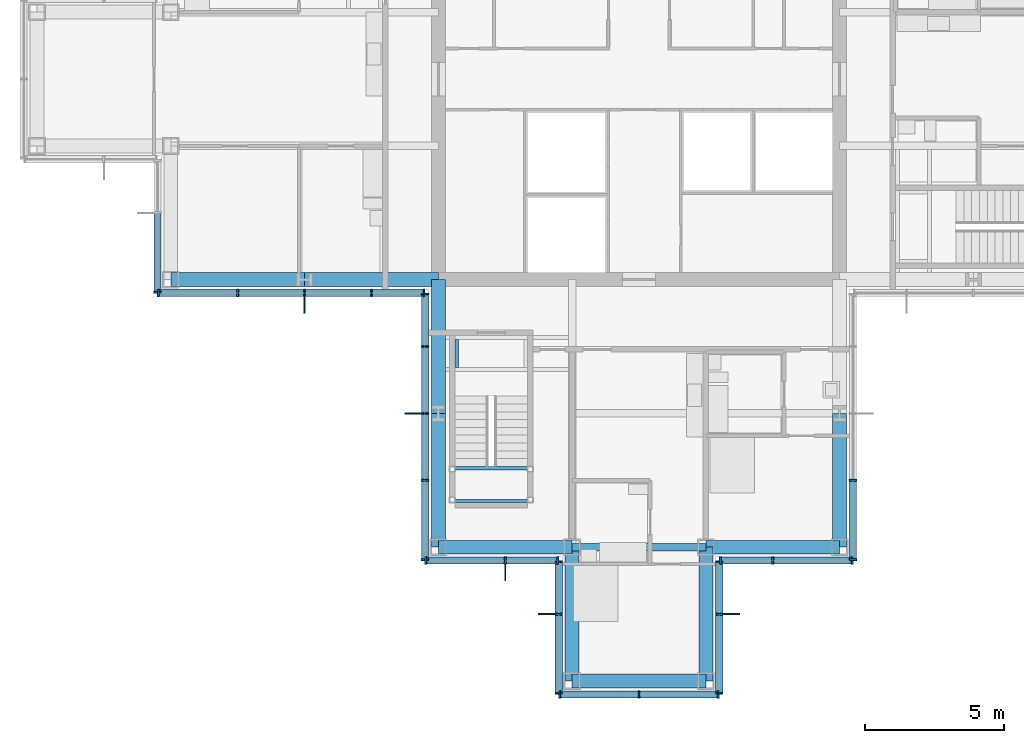
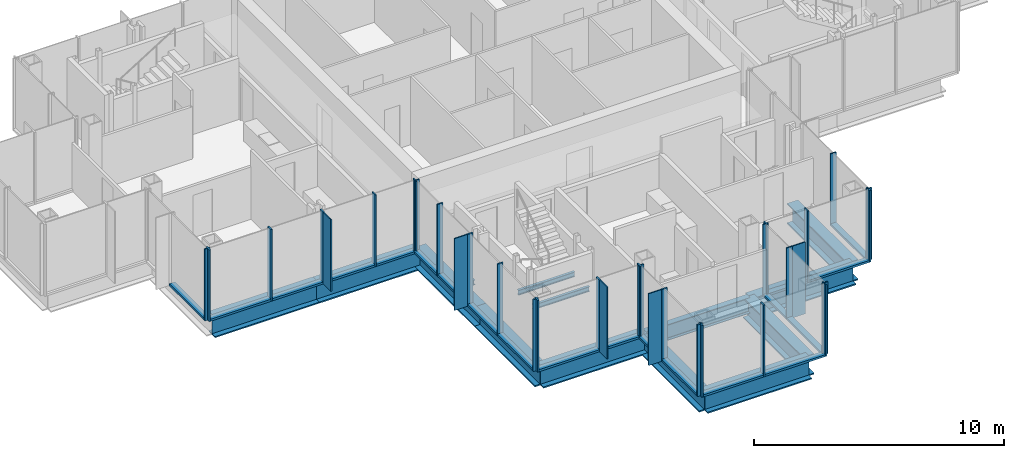
# One storey, part 5 of 15: 53 members, 14 beams, 9 elements without a shape of their own.
"""IFC4 building model written with IfcOpenShell, lengths in metres."""

from ifc_helpers import new_model, si_unit, direction, frame, origin, origin_2d, place, context, subcontext, project, spatial, rectangle, i_section, extrude, material, material_profile, profile_set, type_object, element, aggregate, save


model = new_model("IFC4")

# Units and contexts
model_context = context("Model", 3, precision=1e-05, world=origin(), true_north=direction((0.0, 1.0)))
body_context = subcontext(model_context, "Body", "Model", "MODEL_VIEW")
ifc_project = project(units=[si_unit("LENGTHUNIT", "METRE"), si_unit("AREAUNIT", "SQUARE_METRE"), si_unit("VOLUMEUNIT", "CUBIC_METRE"), si_unit("PLANEANGLEUNIT", "RADIAN"), si_unit("MASSUNIT", "GRAM", prefix="KILO")], contexts=[model_context])

# Site, building, storey
site_placement = place(None, origin())
site = spatial("IfcSite", under=ifc_project, at=site_placement, CompositionType="ELEMENT")
building_placement = place(site_placement, origin())
building = spatial("IfcBuilding", under=site, at=building_placement, Name="Kvirike Care Tower", CompositionType="ELEMENT")
storey_placement = place(building_placement, frame((0.0, 0.0, 215.5)))
storey = spatial("IfcBuildingStorey", under=building, at=storey_placement, Name="L59", CompositionType="ELEMENT", Elevation=215.5)

# Curtain wall, member
ifc_material_1 = material(Name="Anodised aluminium stick system", Category="aluminium")
curtain_wall_type = type_object("IfcCurtainWallType", Name="CW-D STICK CURTAIN WALL", PredefinedType="NOTDEFINED", material=ifc_material_1)
curtain_wall_1_placement = place(storey_placement, origin())
curtain_wall_1 = element("IfcCurtainWall", 1, at=curtain_wall_1_placement, inside=storey, type_object=curtain_wall_type, Name="Curtain wall L59 face 13", PredefinedType="NOTDEFINED")
ifc_material_2 = material(Name="Bronze anodised aluminium fin", Category="aluminium")
ifc_material_profile_1 = material_profile(ifc_material_2, rectangle(XDim=0.050048828125, YDim=0.60009765625, at=origin_2d()), Name="BRONZE FIN 600")
ifc_profile_set_1 = profile_set([ifc_material_profile_1], Name="Bronze anodised aluminium fin")
member_type_1 = type_object("IfcMemberType", Name="BRONZE FIN 600", PredefinedType="USERDEFINED", material=ifc_profile_set_1)
member_1_placement = place(storey_placement, frame((9.60009765625, 27.889892578125, 0.0), z_axis=(0.0, 0.0, 1.0), x_axis=(1.0, 0.0, 0.0)))
member_1 = element("IfcMember", 2, at=member_1_placement, type_object=member_type_1, Name="Bronze fin L59 face 13.3", ObjectType="FIN", PredefinedType="USERDEFINED", context=body_context, shape_type="SweptSolid", body=[
    extrude(rectangle(XDim=0.050048828125, YDim=0.60009765625, at=origin_2d()), origin(), (0.0, 0.0, 1.0), 3.5),
])

curtain_wall_2_placement = place(storey_placement, origin())
curtain_wall_2 = element("IfcCurtainWall", 3, at=curtain_wall_2_placement, inside=storey, type_object=curtain_wall_type, Name="Curtain wall L59 face 14", PredefinedType="NOTDEFINED")
member_2_placement = place(storey_placement, frame((13.489990234375, 24.0, 0.0), z_axis=(0.0, 0.0, 1.0), x_axis=(0.0, -1.0, 0.0)))
member_2 = element("IfcMember", 4, at=member_2_placement, type_object=member_type_1, Name="Bronze fin L59 face 14.3", ObjectType="FIN", PredefinedType="USERDEFINED", context=body_context, shape_type="SweptSolid", body=[
    extrude(rectangle(XDim=0.050048828125, YDim=0.60009765625, at=origin_2d()), origin(), (0.0, 0.0, 1.0), 3.5),
])

curtain_wall_3_placement = place(storey_placement, origin())
curtain_wall_3 = element("IfcCurtainWall", 5, at=curtain_wall_3_placement, inside=storey, type_object=curtain_wall_type, Name="Curtain wall L59 face 15", PredefinedType="NOTDEFINED")
member_3_placement = place(storey_placement, frame((16.800048828125, 18.2900390625, 0.0), z_axis=(0.0, 0.0, 1.0), x_axis=(1.0, 0.0, 0.0)))
member_3 = element("IfcMember", 6, at=member_3_placement, type_object=member_type_1, Name="Bronze fin L59 face 15.2", ObjectType="FIN", PredefinedType="USERDEFINED", context=body_context, shape_type="SweptSolid", body=[
    extrude(rectangle(XDim=0.050048828125, YDim=0.60009765625, at=origin_2d()), origin(), (0.0, 0.0, 1.0), 3.5),
])

curtain_wall_4_placement = place(storey_placement, origin())
curtain_wall_4 = element("IfcCurtainWall", 7, at=curtain_wall_4_placement, inside=storey, type_object=curtain_wall_type, Name="Curtain wall L59 face 16", PredefinedType="NOTDEFINED")
member_4_placement = place(storey_placement, frame((18.2900390625, 16.800048828125, 0.0), z_axis=(0.0, 0.0, 1.0), x_axis=(0.0, -1.0, 0.0)))
member_4 = element("IfcMember", 8, at=member_4_placement, type_object=member_type_1, Name="Bronze fin L59 face 16.2", ObjectType="FIN", PredefinedType="USERDEFINED", context=body_context, shape_type="SweptSolid", body=[
    extrude(rectangle(XDim=0.050048828125, YDim=0.60009765625, at=origin_2d()), origin(), (0.0, 0.0, 1.0), 3.5),
])

curtain_wall_5_placement = place(storey_placement, origin())
curtain_wall_5 = element("IfcCurtainWall", 9, at=curtain_wall_5_placement, inside=storey, type_object=curtain_wall_type, Name="Curtain wall L59 face 18", PredefinedType="NOTDEFINED")
member_5_placement = place(storey_placement, frame((24.909912109375, 16.800048828125, 0.0), z_axis=(0.0, 0.0, 1.0), x_axis=(0.0, 1.0, 0.0)))
member_5 = element("IfcMember", 10, at=member_5_placement, type_object=member_type_1, Name="Bronze fin L59 face 18.2", ObjectType="FIN", PredefinedType="USERDEFINED", context=body_context, shape_type="SweptSolid", body=[
    extrude(rectangle(XDim=0.050048828125, YDim=0.60009765625, at=origin_2d()), origin(), (0.0, 0.0, 1.0), 3.5),
])

curtain_wall_6_placement = place(storey_placement, origin())
curtain_wall_6 = element("IfcCurtainWall", 11, at=curtain_wall_6_placement, inside=storey, type_object=curtain_wall_type, Name="Curtain wall L59 face 12", PredefinedType="NOTDEFINED")
ifc_material_3 = material(Name="Bronze anodised aluminium mullion", Category="aluminium")
ifc_material_profile_2 = material_profile(ifc_material_3, rectangle(XDim=0.06494140625, YDim=0.260009765625, at=origin_2d()), Name="CW-D MULLION 65x260")
ifc_profile_set_2 = profile_set([ifc_material_profile_2], Name="Bronze anodised aluminium mullion")
member_type_2 = type_object("IfcMemberType", Name="CW-D MULLION 65x260", PredefinedType="MULLION", material=ifc_profile_set_2)
member_6_placement = place(storey_placement, frame((4.320068359375, 28.3525390625, 0.0), z_axis=(0.0, 0.0, 1.0), x_axis=(0.0, -1.0, 0.0)))
member_6 = element("IfcMember", 12, at=member_6_placement, type_object=member_type_2, Name="CW-D mullion L59 face 12.3", PredefinedType="MULLION", context=body_context, shape_type="SweptSolid", body=[
    extrude(rectangle(XDim=0.06494140625, YDim=0.260009765625, at=origin_2d()), origin(), (0.0, 0.0, 1.0), 3.5),
])

# Member
member_7_placement = place(storey_placement, frame((4.3525390625, 28.320068359375, 0.0), z_axis=(0.0, 0.0, 1.0), x_axis=(1.0, 0.0, 0.0)))
member_7 = element("IfcMember", 13, at=member_7_placement, type_object=member_type_2, Name="CW-D mullion L59 face 13.1", PredefinedType="MULLION", context=body_context, shape_type="SweptSolid", body=[
    extrude(rectangle(XDim=0.06494140625, YDim=0.260009765625, at=origin_2d()), origin(), (0.0, 0.0, 1.0), 3.5),
])

member_8_placement = place(storey_placement, frame((7.199951171875, 28.320068359375, 0.0), z_axis=(0.0, 0.0, 1.0), x_axis=(1.0, 0.0, 0.0)))
member_8 = element("IfcMember", 14, at=member_8_placement, type_object=member_type_2, Name="CW-D mullion L59 face 13.2", PredefinedType="MULLION", context=body_context, shape_type="SweptSolid", body=[
    extrude(rectangle(XDim=0.06494140625, YDim=0.260009765625, at=origin_2d()), origin(), (0.0, 0.0, 1.0), 3.5),
])

member_9_placement = place(storey_placement, frame((9.60009765625, 28.320068359375, 0.0), z_axis=(0.0, 0.0, 1.0), x_axis=(1.0, 0.0, 0.0)))
member_9 = element("IfcMember", 15, at=member_9_placement, type_object=member_type_2, Name="CW-D mullion L59 face 13.3", PredefinedType="MULLION", context=body_context, shape_type="SweptSolid", body=[
    extrude(rectangle(XDim=0.06494140625, YDim=0.260009765625, at=origin_2d()), origin(), (0.0, 0.0, 1.0), 3.5),
])

member_10_placement = place(storey_placement, frame((12.0, 28.320068359375, 0.0), z_axis=(0.0, 0.0, 1.0), x_axis=(1.0, 0.0, 0.0)))
member_10 = element("IfcMember", 16, at=member_10_placement, type_object=member_type_2, Name="CW-D mullion L59 face 13.4", PredefinedType="MULLION", context=body_context, shape_type="SweptSolid", body=[
    extrude(rectangle(XDim=0.06494140625, YDim=0.260009765625, at=origin_2d()), origin(), (0.0, 0.0, 1.0), 3.5),
])

member_11_placement = place(storey_placement, frame((13.887451171875, 28.320068359375, 0.0), z_axis=(0.0, 0.0, 1.0), x_axis=(1.0, 0.0, 0.0)))
member_11 = element("IfcMember", 17, at=member_11_placement, type_object=member_type_2, Name="CW-D mullion L59 face 13.5", PredefinedType="MULLION", context=body_context, shape_type="SweptSolid", body=[
    extrude(rectangle(XDim=0.06494140625, YDim=0.260009765625, at=origin_2d()), origin(), (0.0, 0.0, 1.0), 3.5),
])

member_12_placement = place(storey_placement, frame((13.919921875, 28.28759765625, 0.0), z_axis=(0.0, 0.0, 1.0), x_axis=(0.0, -1.0, 0.0)))
member_12 = element("IfcMember", 18, at=member_12_placement, type_object=member_type_2, Name="CW-D mullion L59 face 14.1", PredefinedType="MULLION", context=body_context, shape_type="SweptSolid", body=[
    extrude(rectangle(XDim=0.06494140625, YDim=0.260009765625, at=origin_2d()), origin(), (0.0, 0.0, 1.0), 3.5),
])

member_13_placement = place(storey_placement, frame((13.919921875, 26.39990234375, 0.0), z_axis=(0.0, 0.0, 1.0), x_axis=(0.0, -1.0, 0.0)))
member_13 = element("IfcMember", 19, at=member_13_placement, type_object=member_type_2, Name="CW-D mullion L59 face 14.2", PredefinedType="MULLION", context=body_context, shape_type="SweptSolid", body=[
    extrude(rectangle(XDim=0.06494140625, YDim=0.260009765625, at=origin_2d()), origin(), (0.0, 0.0, 1.0), 3.5),
])

member_14_placement = place(storey_placement, frame((13.919921875, 24.0, 0.0), z_axis=(0.0, 0.0, 1.0), x_axis=(0.0, -1.0, 0.0)))
member_14 = element("IfcMember", 20, at=member_14_placement, type_object=member_type_2, Name="CW-D mullion L59 face 14.3", PredefinedType="MULLION", context=body_context, shape_type="SweptSolid", body=[
    extrude(rectangle(XDim=0.06494140625, YDim=0.260009765625, at=origin_2d()), origin(), (0.0, 0.0, 1.0), 3.5),
])

member_15_placement = place(storey_placement, frame((13.919921875, 21.60009765625, 0.0), z_axis=(0.0, 0.0, 1.0), x_axis=(0.0, -1.0, 0.0)))
member_15 = element("IfcMember", 21, at=member_15_placement, type_object=member_type_2, Name="CW-D mullion L59 face 14.4", PredefinedType="MULLION", context=body_context, shape_type="SweptSolid", body=[
    extrude(rectangle(XDim=0.06494140625, YDim=0.260009765625, at=origin_2d()), origin(), (0.0, 0.0, 1.0), 3.5),
])

member_16_placement = place(storey_placement, frame((13.919921875, 18.75244140625, 0.0), z_axis=(0.0, 0.0, 1.0), x_axis=(0.0, -1.0, 0.0)))
member_16 = element("IfcMember", 22, at=member_16_placement, type_object=member_type_2, Name="CW-D mullion L59 face 14.5", PredefinedType="MULLION", context=body_context, shape_type="SweptSolid", body=[
    extrude(rectangle(XDim=0.06494140625, YDim=0.260009765625, at=origin_2d()), origin(), (0.0, 0.0, 1.0), 3.5),
])

member_17_placement = place(storey_placement, frame((13.952392578125, 18.719970703125, 0.0), z_axis=(0.0, 0.0, 1.0), x_axis=(1.0, 0.0, 0.0)))
member_17 = element("IfcMember", 23, at=member_17_placement, type_object=member_type_2, Name="CW-D mullion L59 face 15.1", PredefinedType="MULLION", context=body_context, shape_type="SweptSolid", body=[
    extrude(rectangle(XDim=0.06494140625, YDim=0.260009765625, at=origin_2d()), origin(), (0.0, 0.0, 1.0), 3.5),
])

member_18_placement = place(storey_placement, frame((16.800048828125, 18.719970703125, 0.0), z_axis=(0.0, 0.0, 1.0), x_axis=(1.0, 0.0, 0.0)))
member_18 = element("IfcMember", 24, at=member_18_placement, type_object=member_type_2, Name="CW-D mullion L59 face 15.2", PredefinedType="MULLION", context=body_context, shape_type="SweptSolid", body=[
    extrude(rectangle(XDim=0.06494140625, YDim=0.260009765625, at=origin_2d()), origin(), (0.0, 0.0, 1.0), 3.5),
])

member_19_placement = place(storey_placement, frame((18.6875, 18.719970703125, 0.0), z_axis=(0.0, 0.0, 1.0), x_axis=(1.0, 0.0, 0.0)))
member_19 = element("IfcMember", 25, at=member_19_placement, type_object=member_type_2, Name="CW-D mullion L59 face 15.3", PredefinedType="MULLION", context=body_context, shape_type="SweptSolid", body=[
    extrude(rectangle(XDim=0.06494140625, YDim=0.260009765625, at=origin_2d()), origin(), (0.0, 0.0, 1.0), 3.5),
])

member_20_placement = place(storey_placement, frame((18.719970703125, 18.6875, 0.0), z_axis=(0.0, 0.0, 1.0), x_axis=(0.0, -1.0, 0.0)))
member_20 = element("IfcMember", 26, at=member_20_placement, type_object=member_type_2, Name="CW-D mullion L59 face 16.1", PredefinedType="MULLION", context=body_context, shape_type="SweptSolid", body=[
    extrude(rectangle(XDim=0.06494140625, YDim=0.260009765625, at=origin_2d()), origin(), (0.0, 0.0, 1.0), 3.5),
])

member_21_placement = place(storey_placement, frame((18.719970703125, 16.800048828125, 0.0), z_axis=(0.0, 0.0, 1.0), x_axis=(0.0, -1.0, 0.0)))
member_21 = element("IfcMember", 27, at=member_21_placement, type_object=member_type_2, Name="CW-D mullion L59 face 16.2", PredefinedType="MULLION", context=body_context, shape_type="SweptSolid", body=[
    extrude(rectangle(XDim=0.06494140625, YDim=0.260009765625, at=origin_2d()), origin(), (0.0, 0.0, 1.0), 3.5),
])

member_22_placement = place(storey_placement, frame((18.719970703125, 13.952392578125, 0.0), z_axis=(0.0, 0.0, 1.0), x_axis=(0.0, -1.0, 0.0)))
member_22 = element("IfcMember", 28, at=member_22_placement, type_object=member_type_2, Name="CW-D mullion L59 face 16.3", PredefinedType="MULLION", context=body_context, shape_type="SweptSolid", body=[
    extrude(rectangle(XDim=0.06494140625, YDim=0.260009765625, at=origin_2d()), origin(), (0.0, 0.0, 1.0), 3.5),
])

# Curtain wall, members
curtain_wall_7_placement = place(storey_placement, origin())
curtain_wall_7 = element("IfcCurtainWall", 29, at=curtain_wall_7_placement, inside=storey, type_object=curtain_wall_type, Name="Curtain wall L59 face 17", PredefinedType="NOTDEFINED")
member_23_placement = place(storey_placement, frame((18.75244140625, 13.919921875, 0.0), z_axis=(0.0, 0.0, 1.0), x_axis=(1.0, 0.0, 0.0)))
member_23 = element("IfcMember", 30, at=member_23_placement, type_object=member_type_2, Name="CW-D mullion L59 face 17.1", PredefinedType="MULLION", context=body_context, shape_type="SweptSolid", body=[
    extrude(rectangle(XDim=0.06494140625, YDim=0.260009765625, at=origin_2d()), origin(), (0.0, 0.0, 1.0), 3.5),
])
member_24_placement = place(storey_placement, frame((21.60009765625, 13.919921875, 0.0), z_axis=(0.0, 0.0, 1.0), x_axis=(1.0, 0.0, 0.0)))
member_24 = element("IfcMember", 31, at=member_24_placement, type_object=member_type_2, Name="CW-D mullion L59 face 17.2", PredefinedType="MULLION", context=body_context, shape_type="SweptSolid", body=[
    extrude(rectangle(XDim=0.06494140625, YDim=0.260009765625, at=origin_2d()), origin(), (0.0, 0.0, 1.0), 3.5),
])
member_25_placement = place(storey_placement, frame((24.447509765625, 13.919921875, 0.0), z_axis=(0.0, 0.0, 1.0), x_axis=(1.0, 0.0, 0.0)))
member_25 = element("IfcMember", 32, at=member_25_placement, type_object=member_type_2, Name="CW-D mullion L59 face 17.3", PredefinedType="MULLION", context=body_context, shape_type="SweptSolid", body=[
    extrude(rectangle(XDim=0.06494140625, YDim=0.260009765625, at=origin_2d()), origin(), (0.0, 0.0, 1.0), 3.5),
])

# Member
member_26_placement = place(storey_placement, frame((24.47998046875, 13.952392578125, 0.0), z_axis=(0.0, 0.0, 1.0), x_axis=(0.0, 1.0, 0.0)))
member_26 = element("IfcMember", 33, at=member_26_placement, type_object=member_type_2, Name="CW-D mullion L59 face 18.1", PredefinedType="MULLION", context=body_context, shape_type="SweptSolid", body=[
    extrude(rectangle(XDim=0.06494140625, YDim=0.260009765625, at=origin_2d()), origin(), (0.0, 0.0, 1.0), 3.5),
])

member_27_placement = place(storey_placement, frame((24.47998046875, 16.800048828125, 0.0), z_axis=(0.0, 0.0, 1.0), x_axis=(0.0, 1.0, 0.0)))
member_27 = element("IfcMember", 34, at=member_27_placement, type_object=member_type_2, Name="CW-D mullion L59 face 18.2", PredefinedType="MULLION", context=body_context, shape_type="SweptSolid", body=[
    extrude(rectangle(XDim=0.06494140625, YDim=0.260009765625, at=origin_2d()), origin(), (0.0, 0.0, 1.0), 3.5),
])

member_28_placement = place(storey_placement, frame((24.47998046875, 18.6875, 0.0), z_axis=(0.0, 0.0, 1.0), x_axis=(0.0, 1.0, 0.0)))
member_28 = element("IfcMember", 35, at=member_28_placement, type_object=member_type_2, Name="CW-D mullion L59 face 18.3", PredefinedType="MULLION", context=body_context, shape_type="SweptSolid", body=[
    extrude(rectangle(XDim=0.06494140625, YDim=0.260009765625, at=origin_2d()), origin(), (0.0, 0.0, 1.0), 3.5),
])

# Curtain wall, members
curtain_wall_8_placement = place(storey_placement, origin())
curtain_wall_8 = element("IfcCurtainWall", 36, at=curtain_wall_8_placement, inside=storey, type_object=curtain_wall_type, Name="Curtain wall L59 face 19", PredefinedType="NOTDEFINED")
member_29_placement = place(storey_placement, frame((24.512451171875, 18.719970703125, 0.0), z_axis=(0.0, 0.0, 1.0), x_axis=(1.0, 0.0, 0.0)))
member_29 = element("IfcMember", 37, at=member_29_placement, type_object=member_type_2, Name="CW-D mullion L59 face 19.1", PredefinedType="MULLION", context=body_context, shape_type="SweptSolid", body=[
    extrude(rectangle(XDim=0.06494140625, YDim=0.260009765625, at=origin_2d()), origin(), (0.0, 0.0, 1.0), 3.5),
])
member_30_placement = place(storey_placement, frame((26.39990234375, 18.719970703125, 0.0), z_axis=(0.0, 0.0, 1.0), x_axis=(1.0, 0.0, 0.0)))
member_30 = element("IfcMember", 38, at=member_30_placement, type_object=member_type_2, Name="CW-D mullion L59 face 19.2", PredefinedType="MULLION", context=body_context, shape_type="SweptSolid", body=[
    extrude(rectangle(XDim=0.06494140625, YDim=0.260009765625, at=origin_2d()), origin(), (0.0, 0.0, 1.0), 3.5),
])
member_31_placement = place(storey_placement, frame((29.24755859375, 18.719970703125, 0.0), z_axis=(0.0, 0.0, 1.0), x_axis=(1.0, 0.0, 0.0)))
member_31 = element("IfcMember", 39, at=member_31_placement, type_object=member_type_2, Name="CW-D mullion L59 face 19.3", PredefinedType="MULLION", context=body_context, shape_type="SweptSolid", body=[
    extrude(rectangle(XDim=0.06494140625, YDim=0.260009765625, at=origin_2d()), origin(), (0.0, 0.0, 1.0), 3.5),
])

curtain_wall_9_placement = place(storey_placement, origin())
curtain_wall_9 = element("IfcCurtainWall", 40, at=curtain_wall_9_placement, inside=storey, type_object=curtain_wall_type, Name="Curtain wall L59 face 20", PredefinedType="NOTDEFINED")
member_32_placement = place(storey_placement, frame((29.280029296875, 18.75244140625, 0.0), z_axis=(0.0, 0.0, 1.0), x_axis=(0.0, 1.0, 0.0)))
member_32 = element("IfcMember", 41, at=member_32_placement, type_object=member_type_2, Name="CW-D mullion L59 face 20.1", PredefinedType="MULLION", context=body_context, shape_type="SweptSolid", body=[
    extrude(rectangle(XDim=0.06494140625, YDim=0.260009765625, at=origin_2d()), origin(), (0.0, 0.0, 1.0), 3.5),
])
member_33_placement = place(storey_placement, frame((29.280029296875, 21.60009765625, 0.0), z_axis=(0.0, 0.0, 1.0), x_axis=(0.0, 1.0, 0.0)))
member_33 = element("IfcMember", 42, at=member_33_placement, type_object=member_type_2, Name="CW-D mullion L59 face 20.2", PredefinedType="MULLION", context=body_context, shape_type="SweptSolid", body=[
    extrude(rectangle(XDim=0.06494140625, YDim=0.260009765625, at=origin_2d()), origin(), (0.0, 0.0, 1.0), 3.5),
])

# Member
ifc_material_4 = material(Name="Bronze anodised aluminium transom", Category="aluminium")
ifc_material_profile_3 = material_profile(ifc_material_4, rectangle(XDim=0.260009765625, YDim=0.10009765625, at=origin_2d()), Name="CW-D TRANSOM 260x100")
ifc_profile_set_3 = profile_set([ifc_material_profile_3], Name="Bronze anodised aluminium transom")
member_type_3 = type_object("IfcMemberType", Name="CW-D TRANSOM 260x100", PredefinedType="USERDEFINED", material=ifc_profile_set_3)
member_34_placement = place(storey_placement, frame((4.320068359375, 31.16748046875, 0.050048828125), z_axis=(0.0, -1.0, 0.0), x_axis=(1.0, 0.0, 0.0)))
member_34 = element("IfcMember", 43, at=member_34_placement, type_object=member_type_3, Name="CW-D sill transom L59 face 12.2", ObjectType="TRANSOM", PredefinedType="USERDEFINED", context=body_context, shape_type="SweptSolid", body=[
    extrude(rectangle(XDim=0.260009765625, YDim=0.10009765625, at=origin_2d()), origin(), (0.0, 0.0, 1.0), 2.782470703125),
])

aggregate(curtain_wall_6, [member_6, member_34])

member_35_placement = place(storey_placement, frame((4.385009765625, 28.320068359375, 0.050048828125), z_axis=(1.0, 0.0, 0.0), x_axis=(0.0, 1.0, 0.0)))
member_35 = element("IfcMember", 44, at=member_35_placement, type_object=member_type_3, Name="CW-D sill transom L59 face 13.1", ObjectType="TRANSOM", PredefinedType="USERDEFINED", context=body_context, shape_type="SweptSolid", body=[
    extrude(rectangle(XDim=0.260009765625, YDim=0.10009765625, at=origin_2d()), origin(), (0.0, 0.0, 1.0), 2.782470703125),
])

member_36_placement = place(storey_placement, frame((7.232421875, 28.320068359375, 0.050048828125), z_axis=(1.0, 0.0, 0.0), x_axis=(0.0, 1.0, 0.0)))
member_36 = element("IfcMember", 45, at=member_36_placement, type_object=member_type_3, Name="CW-D sill transom L59 face 13.2", ObjectType="TRANSOM", PredefinedType="USERDEFINED", context=body_context, shape_type="SweptSolid", body=[
    extrude(rectangle(XDim=0.260009765625, YDim=0.10009765625, at=origin_2d()), origin(), (0.0, 0.0, 1.0), 2.3349609375),
])

member_37_placement = place(storey_placement, frame((9.632568359375, 28.320068359375, 0.050048828125), z_axis=(1.0, 0.0, 0.0), x_axis=(0.0, 1.0, 0.0)))
member_37 = element("IfcMember", 46, at=member_37_placement, type_object=member_type_3, Name="CW-D sill transom L59 face 13.3", ObjectType="TRANSOM", PredefinedType="USERDEFINED", context=body_context, shape_type="SweptSolid", body=[
    extrude(rectangle(XDim=0.260009765625, YDim=0.10009765625, at=origin_2d()), origin(), (0.0, 0.0, 1.0), 2.3349609375),
])

member_38_placement = place(storey_placement, frame((12.032470703125, 28.320068359375, 0.050048828125), z_axis=(1.0, 0.0, 0.0), x_axis=(0.0, 1.0, 0.0)))
member_38 = element("IfcMember", 47, at=member_38_placement, type_object=member_type_3, Name="CW-D sill transom L59 face 13.4", ObjectType="TRANSOM", PredefinedType="USERDEFINED", context=body_context, shape_type="SweptSolid", body=[
    extrude(rectangle(XDim=0.260009765625, YDim=0.10009765625, at=origin_2d()), origin(), (0.0, 0.0, 1.0), 1.822509765625),
])

aggregate(curtain_wall_1, [member_7, member_8, member_9, member_1, member_10, member_11, member_35, member_36, member_37, member_38])

member_39_placement = place(storey_placement, frame((13.919921875, 28.2548828125, 0.050048828125), z_axis=(0.0, -1.0, 0.0), x_axis=(1.0, 0.0, 0.0)))
member_39 = element("IfcMember", 48, at=member_39_placement, type_object=member_type_3, Name="CW-D sill transom L59 face 14.1", ObjectType="TRANSOM", PredefinedType="USERDEFINED", context=body_context, shape_type="SweptSolid", body=[
    extrude(rectangle(XDim=0.260009765625, YDim=0.10009765625, at=origin_2d()), origin(), (0.0, 0.0, 1.0), 1.822265625),
])

member_40_placement = place(storey_placement, frame((13.919921875, 26.367431640625, 0.050048828125), z_axis=(0.0, -1.0, 0.0), x_axis=(1.0, 0.0, 0.0)))
member_40 = element("IfcMember", 49, at=member_40_placement, type_object=member_type_3, Name="CW-D sill transom L59 face 14.2", ObjectType="TRANSOM", PredefinedType="USERDEFINED", context=body_context, shape_type="SweptSolid", body=[
    extrude(rectangle(XDim=0.260009765625, YDim=0.10009765625, at=origin_2d()), origin(), (0.0, 0.0, 1.0), 2.3349609375),
])

member_41_placement = place(storey_placement, frame((13.919921875, 23.967529296875, 0.050048828125), z_axis=(0.0, -1.0, 0.0), x_axis=(1.0, 0.0, 0.0)))
member_41 = element("IfcMember", 50, at=member_41_placement, type_object=member_type_3, Name="CW-D sill transom L59 face 14.3", ObjectType="TRANSOM", PredefinedType="USERDEFINED", context=body_context, shape_type="SweptSolid", body=[
    extrude(rectangle(XDim=0.260009765625, YDim=0.10009765625, at=origin_2d()), origin(), (0.0, 0.0, 1.0), 2.3349609375),
])

member_42_placement = place(storey_placement, frame((13.919921875, 21.5673828125, 0.050048828125), z_axis=(0.0, -1.0, 0.0), x_axis=(1.0, 0.0, 0.0)))
member_42 = element("IfcMember", 51, at=member_42_placement, type_object=member_type_3, Name="CW-D sill transom L59 face 14.4", ObjectType="TRANSOM", PredefinedType="USERDEFINED", context=body_context, shape_type="SweptSolid", body=[
    extrude(rectangle(XDim=0.260009765625, YDim=0.10009765625, at=origin_2d()), origin(), (0.0, 0.0, 1.0), 2.782470703125),
])

aggregate(curtain_wall_2, [member_12, member_13, member_14, member_2, member_15, member_16, member_39, member_40, member_41, member_42])

member_43_placement = place(storey_placement, frame((13.985107421875, 18.719970703125, 0.050048828125), z_axis=(1.0, 0.0, 0.0), x_axis=(0.0, 1.0, 0.0)))
member_43 = element("IfcMember", 52, at=member_43_placement, type_object=member_type_3, Name="CW-D sill transom L59 face 15.1", ObjectType="TRANSOM", PredefinedType="USERDEFINED", context=body_context, shape_type="SweptSolid", body=[
    extrude(rectangle(XDim=0.260009765625, YDim=0.10009765625, at=origin_2d()), origin(), (0.0, 0.0, 1.0), 2.782470703125),
])

member_44_placement = place(storey_placement, frame((16.83251953125, 18.719970703125, 0.050048828125), z_axis=(1.0, 0.0, 0.0), x_axis=(0.0, 1.0, 0.0)))
member_44 = element("IfcMember", 53, at=member_44_placement, type_object=member_type_3, Name="CW-D sill transom L59 face 15.2", ObjectType="TRANSOM", PredefinedType="USERDEFINED", context=body_context, shape_type="SweptSolid", body=[
    extrude(rectangle(XDim=0.260009765625, YDim=0.10009765625, at=origin_2d()), origin(), (0.0, 0.0, 1.0), 1.822509765625),
])

aggregate(curtain_wall_3, [member_17, member_18, member_3, member_19, member_43, member_44])

member_45_placement = place(storey_placement, frame((18.719970703125, 18.655029296875, 0.050048828125), z_axis=(0.0, -1.0, 0.0), x_axis=(1.0, 0.0, 0.0)))
member_45 = element("IfcMember", 54, at=member_45_placement, type_object=member_type_3, Name="CW-D sill transom L59 face 16.1", ObjectType="TRANSOM", PredefinedType="USERDEFINED", context=body_context, shape_type="SweptSolid", body=[
    extrude(rectangle(XDim=0.260009765625, YDim=0.10009765625, at=origin_2d()), origin(), (0.0, 0.0, 1.0), 1.822509765625),
])

member_46_placement = place(storey_placement, frame((18.719970703125, 16.767578125, 0.050048828125), z_axis=(0.0, -1.0, 0.0), x_axis=(1.0, 0.0, 0.0)))
member_46 = element("IfcMember", 55, at=member_46_placement, type_object=member_type_3, Name="CW-D sill transom L59 face 16.2", ObjectType="TRANSOM", PredefinedType="USERDEFINED", context=body_context, shape_type="SweptSolid", body=[
    extrude(rectangle(XDim=0.260009765625, YDim=0.10009765625, at=origin_2d()), origin(), (0.0, 0.0, 1.0), 2.782470703125),
])

aggregate(curtain_wall_4, [member_20, member_21, member_4, member_22, member_45, member_46])

member_47_placement = place(storey_placement, frame((18.784912109375, 13.919921875, 0.050048828125), z_axis=(1.0, 0.0, 0.0), x_axis=(0.0, 1.0, 0.0)))
member_47 = element("IfcMember", 56, at=member_47_placement, type_object=member_type_3, Name="CW-D sill transom L59 face 17.1", ObjectType="TRANSOM", PredefinedType="USERDEFINED", context=body_context, shape_type="SweptSolid", body=[
    extrude(rectangle(XDim=0.260009765625, YDim=0.10009765625, at=origin_2d()), origin(), (0.0, 0.0, 1.0), 2.782470703125),
])

member_48_placement = place(storey_placement, frame((21.632568359375, 13.919921875, 0.050048828125), z_axis=(1.0, 0.0, 0.0), x_axis=(0.0, 1.0, 0.0)))
member_48 = element("IfcMember", 57, at=member_48_placement, type_object=member_type_3, Name="CW-D sill transom L59 face 17.2", ObjectType="TRANSOM", PredefinedType="USERDEFINED", context=body_context, shape_type="SweptSolid", body=[
    extrude(rectangle(XDim=0.260009765625, YDim=0.10009765625, at=origin_2d()), origin(), (0.0, 0.0, 1.0), 2.782470703125),
])

aggregate(curtain_wall_7, [member_23, member_24, member_25, member_47, member_48])

member_49_placement = place(storey_placement, frame((24.47998046875, 13.985107421875, 0.050048828125), z_axis=(0.0, 1.0, 0.0), x_axis=(-1.0, 0.0, 0.0)))
member_49 = element("IfcMember", 58, at=member_49_placement, type_object=member_type_3, Name="CW-D sill transom L59 face 18.1", ObjectType="TRANSOM", PredefinedType="USERDEFINED", context=body_context, shape_type="SweptSolid", body=[
    extrude(rectangle(XDim=0.260009765625, YDim=0.10009765625, at=origin_2d()), origin(), (0.0, 0.0, 1.0), 2.782470703125),
])

member_50_placement = place(storey_placement, frame((24.47998046875, 16.83251953125, 0.050048828125), z_axis=(0.0, 1.0, 0.0), x_axis=(-1.0, 0.0, 0.0)))
member_50 = element("IfcMember", 59, at=member_50_placement, type_object=member_type_3, Name="CW-D sill transom L59 face 18.2", ObjectType="TRANSOM", PredefinedType="USERDEFINED", context=body_context, shape_type="SweptSolid", body=[
    extrude(rectangle(XDim=0.260009765625, YDim=0.10009765625, at=origin_2d()), origin(), (0.0, 0.0, 1.0), 1.822509765625),
])

aggregate(curtain_wall_5, [member_26, member_27, member_5, member_28, member_49, member_50])

member_51_placement = place(storey_placement, frame((24.544921875, 18.719970703125, 0.050048828125), z_axis=(1.0, 0.0, 0.0), x_axis=(0.0, 1.0, 0.0)))
member_51 = element("IfcMember", 60, at=member_51_placement, type_object=member_type_3, Name="CW-D sill transom L59 face 19.1", ObjectType="TRANSOM", PredefinedType="USERDEFINED", context=body_context, shape_type="SweptSolid", body=[
    extrude(rectangle(XDim=0.260009765625, YDim=0.10009765625, at=origin_2d()), origin(), (0.0, 0.0, 1.0), 1.822509765625),
])

member_52_placement = place(storey_placement, frame((26.4326171875, 18.719970703125, 0.050048828125), z_axis=(1.0, 0.0, 0.0), x_axis=(0.0, 1.0, 0.0)))
member_52 = element("IfcMember", 61, at=member_52_placement, type_object=member_type_3, Name="CW-D sill transom L59 face 19.2", ObjectType="TRANSOM", PredefinedType="USERDEFINED", context=body_context, shape_type="SweptSolid", body=[
    extrude(rectangle(XDim=0.260009765625, YDim=0.10009765625, at=origin_2d()), origin(), (0.0, 0.0, 1.0), 2.782470703125),
])

aggregate(curtain_wall_8, [member_29, member_30, member_31, member_51, member_52])

member_53_placement = place(storey_placement, frame((29.280029296875, 18.784912109375, 0.050048828125), z_axis=(0.0, 1.0, 0.0), x_axis=(-1.0, 0.0, 0.0)))
member_53 = element("IfcMember", 62, at=member_53_placement, type_object=member_type_3, Name="CW-D sill transom L59 face 20.1", ObjectType="TRANSOM", PredefinedType="USERDEFINED", context=body_context, shape_type="SweptSolid", body=[
    extrude(rectangle(XDim=0.260009765625, YDim=0.10009765625, at=origin_2d()), origin(), (0.0, 0.0, 1.0), 2.782470703125),
])

aggregate(curtain_wall_9, [member_32, member_33, member_53])

# Beams
ifc_material_5 = material(Name="Steel S355", Category="steel")
ifc_material_profile_4 = material_profile(ifc_material_5, i_section(OverallWidth=0.26806640625, OverallDepth=0.77001953125, WebThickness=0.015625, FlangeThickness=0.025390625, FilletRadius=0.01708984375, at=origin_2d()), Name="IPE 750x196")
ifc_profile_set_4 = profile_set([ifc_material_profile_4], Name="Steel S355")
beam_type_1 = type_object("IfcBeamType", Name="FLOOR BEAM IPE 750x196", PredefinedType="BEAM", material=ifc_profile_set_4)
beam_1_placement = place(storey_placement, frame((19.199951171875, 19.199951171875, -0.554931640625), z_axis=(1.0, 0.0, 0.0), x_axis=(0.0, 1.0, 0.0)))
element("IfcBeam", 63, at=beam_1_placement, inside=storey, type_object=beam_type_1, Name="Floor Beam E7-E8 L59", PredefinedType="BEAM", context=body_context, shape_type="SweptSolid", body=[
    extrude(i_section(OverallWidth=0.26806640625, OverallDepth=0.77001953125, WebThickness=0.015625, FlangeThickness=0.025390625, FilletRadius=0.01708984375, at=origin_2d()), origin(), (0.0, 0.0, 1.0), 4.800048828125),
])
ifc_material_6 = material(Name="Steel S355", Category="steel")
ifc_material_profile_5 = material_profile(ifc_material_6, i_section(OverallWidth=0.5, OverallDepth=1.0, WebThickness=0.030029296875, FlangeThickness=0.06005859375, at=origin_2d()), Name="PG 1000x500x30x60")
ifc_profile_set_5 = profile_set([ifc_material_profile_5], Name="Steel S355")
beam_type_2 = type_object("IfcBeamType", Name="SPANDREL PG 1000x500x30x60", PredefinedType="SPANDREL", material=ifc_profile_set_5)
for number, where, z_axis, x_axis, name in (
    (64, (19.199951171875, 14.39990234375, -0.669921875), (1.0, 0.0, 0.0), (0.0, 1.0, 0.0), "Spandrel D7-D8 L59"),
    (65, (14.39990234375, 19.199951171875, -0.669921875), (1.0, 0.0, 0.0), (0.0, 1.0, 0.0), "Spandrel E6-E7 L59"),
    (66, (24.0, 19.199951171875, -0.669921875), (1.0, 0.0, 0.0), (0.0, 1.0, 0.0), "Spandrel E8-E9 L59"),
    (67, (4.800048828125, 28.800048828125, -0.669921875), (1.0, 0.0, 0.0), (0.0, 1.0, 0.0), "Spandrel G4-G5 L59"),
):
    element("IfcBeam", number, at=place(storey_placement, frame(where, z_axis=z_axis, x_axis=x_axis)), inside=storey, type_object=beam_type_2, Name=name, PredefinedType="SPANDREL", context=body_context, shape_type="SweptSolid", body=[
        extrude(i_section(OverallWidth=0.5, OverallDepth=1.0, WebThickness=0.030029296875, FlangeThickness=0.06005859375, at=origin_2d()), origin(), (0.0, 0.0, 1.0), 4.800048828125),
    ])
beam_2_placement = place(storey_placement, frame((9.60009765625, 28.800048828125, -0.669921875), z_axis=(1.0, 0.0, 0.0), x_axis=(0.0, 1.0, 0.0)))
element("IfcBeam", 68, at=beam_2_placement, inside=storey, type_object=beam_type_2, Name="Spandrel G5-G6 L59", PredefinedType="SPANDREL", context=body_context, shape_type="SweptSolid", body=[
    extrude(i_section(OverallWidth=0.5, OverallDepth=1.0, WebThickness=0.030029296875, FlangeThickness=0.06005859375, at=origin_2d()), origin(), (0.0, 0.0, 1.0), 4.7998046875),
])
for number, where, z_axis, x_axis, name in (
    (69, (14.39990234375, 19.199951171875, -0.669921875), (0.0, 1.0, 0.0), (-1.0, 0.0, 0.0), "Spandrel E6-F6 L59"),
    (70, (14.39990234375, 24.0, -0.669921875), (0.0, 1.0, 0.0), (-1.0, 0.0, 0.0), "Spandrel F6-G6 L59"),
    (71, (19.199951171875, 14.39990234375, -0.669921875), (0.0, 1.0, 0.0), (-1.0, 0.0, 0.0), "Spandrel D7-E7 L59"),
    (72, (24.0, 14.39990234375, -0.669921875), (0.0, 1.0, 0.0), (-1.0, 0.0, 0.0), "Spandrel D8-E8 L59"),
    (73, (28.800048828125, 19.199951171875, -0.669921875), (0.0, 1.0, 0.0), (-1.0, 0.0, 0.0), "Spandrel E9-F9 L59"),
):
    element("IfcBeam", number, at=place(storey_placement, frame(where, z_axis=z_axis, x_axis=x_axis)), inside=storey, type_object=beam_type_2, Name=name, PredefinedType="SPANDREL", context=body_context, shape_type="SweptSolid", body=[
        extrude(i_section(OverallWidth=0.5, OverallDepth=1.0, WebThickness=0.030029296875, FlangeThickness=0.06005859375, at=origin_2d()), origin(), (0.0, 0.0, 1.0), 4.800048828125),
    ])
ifc_material_7 = material(Name="Steel S355", Category="steel")
ifc_material_profile_6 = material_profile(ifc_material_7, i_section(OverallWidth=0.1201171875, OverallDepth=0.239990234375, WebThickness=0.006103515625, FlangeThickness=0.009765625, FilletRadius=0.014892578125, at=origin_2d()), Name="IPE 240")
ifc_profile_set_6 = profile_set([ifc_material_profile_6], Name="Steel S355")
beam_type_3 = type_object("IfcBeamType", Name="STAIR LANDING BEAM IPE 240", PredefinedType="BEAM", material=ifc_profile_set_6)
for number, where, z_axis, x_axis, name in (
    (74, (15.0, 20.860107421875, 1.429931640625), (1.0, 0.0, 0.0), (0.0, 1.0, 0.0), "Stair 5 landing beam back L59"),
    (75, (15.0, 22.0400390625, 1.429931640625), (1.0, 0.0, 0.0), (0.0, 1.0, 0.0), "Stair 5 landing beam front L59"),
):
    element("IfcBeam", number, at=place(storey_placement, frame(where, z_axis=z_axis, x_axis=x_axis)), inside=storey, type_object=beam_type_3, Name=name, PredefinedType="BEAM", context=body_context, shape_type="SweptSolid", body=[
        extrude(i_section(OverallWidth=0.1201171875, OverallDepth=0.239990234375, WebThickness=0.006103515625, FlangeThickness=0.009765625, FilletRadius=0.014892578125, at=origin_2d()), origin(), (0.0, 0.0, 1.0), 2.60009765625),
    ])
beam_3_placement = place(storey_placement, frame((15.06005859375, 25.64990234375, -0.320068359375), z_axis=(0.0, 1.0, 0.0), x_axis=(-1.0, 0.0, 0.0)))
element("IfcBeam", 76, at=beam_3_placement, inside=storey, type_object=beam_type_3, Name="Stair 5 landing edge beam 1 L59", PredefinedType="BEAM", context=body_context, shape_type="SweptSolid", body=[
    extrude(i_section(OverallWidth=0.1201171875, OverallDepth=0.239990234375, WebThickness=0.006103515625, FlangeThickness=0.009765625, FilletRadius=0.014892578125, at=origin_2d()), origin(), (0.0, 0.0, 1.0), 1.0),
])

save(model, "model.ifc")
